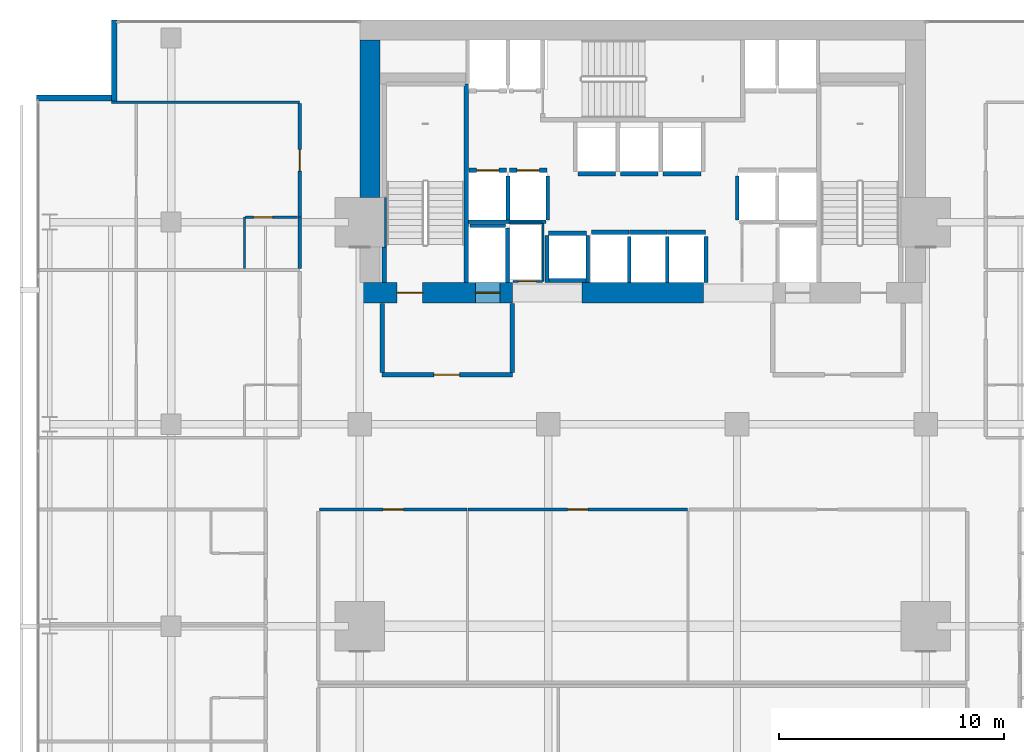
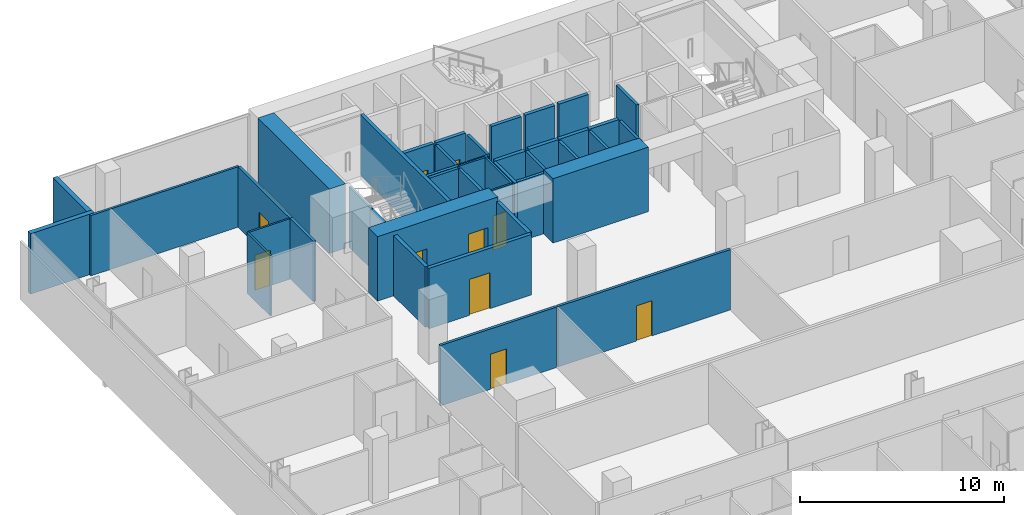
# One storey, part 35 of 39: 42 walls, 10 doors, 10 openings.
"""IFC4 building model written with IfcOpenShell, lengths in metres."""

from ifc_helpers import new_model, si_unit, direction, frame, frame_2d, origin, place, context, subcontext, project, spatial, rectangle, extrude, material, layer, layer_set, type_object, element, fill, save


model = new_model("IFC4")

# Units and contexts
model_context = context("Model", 3, precision=1e-05, world=origin(), true_north=direction((0.0, 1.0)))
body_context = subcontext(model_context, "Body", "Model", "MODEL_VIEW")
ifc_project = project(units=[si_unit("LENGTHUNIT", "METRE"), si_unit("AREAUNIT", "SQUARE_METRE"), si_unit("VOLUMEUNIT", "CUBIC_METRE"), si_unit("PLANEANGLEUNIT", "RADIAN"), si_unit("MASSUNIT", "GRAM", prefix="KILO")], contexts=[model_context])

# Site, building, storey
site_placement = place(None, origin())
site = spatial("IfcSite", under=ifc_project, at=site_placement, CompositionType="ELEMENT")
building_placement = place(site_placement, origin())
building = spatial("IfcBuilding", under=site, at=building_placement, Name="Maruvema Waterfront Hotel and Observation Tower", CompositionType="ELEMENT")
storey_placement = place(building_placement, frame((0.0, 0.0, 46.199951171875)))
storey = spatial("IfcBuildingStorey", under=building, at=storey_placement, Name="L10", CompositionType="ELEMENT", Elevation=46.199951171875)

# Wall, opening, door
ifc_material_1 = material(Name="Twin-stud acoustic gypsum drywall", Category="gypsum")
ifc_layer_1 = layer(ifc_material_1, 0.14990234375, Name="Acoustic Corridor and Suite Demising Wall 150 mm")
ifc_layer_set_1 = layer_set([ifc_layer_1], Name="Twin-stud acoustic gypsum drywall")
wall_type_1 = type_object("IfcWallType", Name="Acoustic Corridor and Suite Demising Wall 150 mm", PredefinedType="PARTITIONING", material=ifc_layer_set_1)
wall_1_placement = place(storey_placement, frame((23.409912109375, 32.199951171875, 0.0), z_axis=(0.0, 0.0, 1.0), x_axis=(1.0, 0.0, 0.0)))
wall_1 = element("IfcWall", 1, at=wall_1_placement, inside=storey, type_object=wall_type_1, Name="L10 L10-INTN Front 1 015", PredefinedType="PARTITIONING", context=body_context, shape_type="SweptSolid", body=[
    extrude(rectangle(XDim=6.55712890625, YDim=0.14990234375, at=frame_2d((3.278564453125, 0.0))), origin(), (0.0, 0.0, 1.0), 3.610107421875),
])
opening_1_placement = place(wall_1_placement, frame((2.82861328125, 0.0, 0.0)))
opening_1 = element("IfcOpeningElement", 2, at=opening_1_placement, cuts=wall_1, Name="Opening DR-090", PredefinedType="OPENING", context=body_context, shape_type="SweptSolid", body=[
    extrude(rectangle(XDim=0.89990234375, YDim=2.10009765625, at=frame_2d((0.449951171875, 1.050048828125))), frame((0.0, 0.0849609375, 0.0), z_axis=(0.0, -1.0, 0.0), x_axis=(1.0, 0.0, 0.0)), (0.0, 0.0, 1.0), 0.169921875),
])
ifc_material_2 = material(Name="Solid-core lacquered timber leaf", Category="wood")
door_type_1 = type_object("IfcDoorType", Name="Accessible Toilet and Room Door 900x2100 mm", OperationType="NOTDEFINED", PredefinedType="DOOR", material=ifc_material_2)
door_1_placement = place(opening_1_placement, origin())
door_1 = element("IfcDoor", 3, at=door_1_placement, inside=storey, type_object=door_type_1, Name="L10 Executive Meeting Room 1 Door", OperationType="SINGLE_SWING_LEFT", OverallHeight=2.10009765625, OverallWidth=0.89990234375, PredefinedType="DOOR", context=body_context, shape_type="SweptSolid", body=[
    extrude(rectangle(XDim=0.89990234375, YDim=2.10009765625, at=frame_2d((0.449951171875, 1.050048828125))), frame((0.0, 0.02490234375, 0.0), z_axis=(0.0, -1.0, 0.0), x_axis=(1.0, 0.0, 0.0)), (0.0, 0.0, 1.0), 0.050048828125),
])
fill(opening_1, door_1)

wall_2_placement = place(storey_placement, frame((30.027099609375, 32.199951171875, 0.0), z_axis=(0.0, 0.0, 1.0), x_axis=(1.0, 0.0, 0.0)))
wall_2 = element("IfcWall", 4, at=wall_2_placement, inside=storey, type_object=wall_type_1, Name="L10 L10-INTN Front 2 017", PredefinedType="PARTITIONING", context=body_context, shape_type="SweptSolid", body=[
    extrude(rectangle(XDim=9.765869140625, YDim=0.14990234375, at=frame_2d((4.8828125, 0.0))), origin(), (0.0, 0.0, 1.0), 3.610107421875),
])
opening_2_placement = place(wall_2_placement, frame((4.43310546875, 0.0, 0.0)))
opening_2 = element("IfcOpeningElement", 5, at=opening_2_placement, cuts=wall_2, Name="Opening DR-090", PredefinedType="OPENING", context=body_context, shape_type="SweptSolid", body=[
    extrude(rectangle(XDim=0.89990234375, YDim=2.10009765625, at=frame_2d((0.449951171875, 1.050048828125))), frame((0.0, 0.0849609375, 0.0), z_axis=(0.0, -1.0, 0.0), x_axis=(1.0, 0.0, 0.0)), (0.0, 0.0, 1.0), 0.169921875),
])
door_2_placement = place(opening_2_placement, origin())
door_2 = element("IfcDoor", 6, at=door_2_placement, inside=storey, type_object=door_type_1, Name="L10 Executive Meeting Room 2 Door", OperationType="SINGLE_SWING_RIGHT", OverallHeight=2.10009765625, OverallWidth=0.89990234375, PredefinedType="DOOR", context=body_context, shape_type="SweptSolid", body=[
    extrude(rectangle(XDim=0.89990234375, YDim=2.10009765625, at=frame_2d((0.449951171875, 1.050048828125))), frame((0.0, 0.02490234375, 0.0), z_axis=(0.0, -1.0, 0.0), x_axis=(1.0, 0.0, 0.0)), (0.0, 0.0, 1.0), 0.050048828125),
])
fill(opening_2, door_2)

# Wall
wall_3_placement = place(storey_placement, frame((22.52001953125, 42.9287109375, 0.0), z_axis=(0.0, 0.0, 1.0), x_axis=(0.0, 1.0, 0.0)))
element("IfcWall", 7, at=wall_3_placement, inside=storey, type_object=wall_type_1, Name="L10 Bath L10-NW2 Wall 103", PredefinedType="PARTITIONING", context=body_context, shape_type="SweptSolid", body=[
    extrude(rectangle(XDim=2.2900390625, YDim=0.14990234375, at=frame_2d((1.14501953125, 0.0))), origin(), (0.0, 0.0, 1.0), 3.610107421875),
])

# Wall, opening, door
wall_4_placement = place(storey_placement, frame((22.52001953125, 45.21875, 0.0), z_axis=(0.0, 0.0, 1.0), x_axis=(0.0, 1.0, 0.0)))
wall_4 = element("IfcWall", 8, at=wall_4_placement, inside=storey, type_object=wall_type_1, Name="L10 Room L10-NW2 Corridor Wall 104", PredefinedType="PARTITIONING", context=body_context, shape_type="SweptSolid", body=[
    extrude(rectangle(XDim=5.058837890625, YDim=0.14990234375, at=frame_2d((2.529296875, 0.0))), origin(), (0.0, 0.0, 1.0), 3.610107421875),
])
opening_3_placement = place(wall_4_placement, frame((2.054443359375, 0.0, 0.0)))
opening_3 = element("IfcOpeningElement", 9, at=opening_3_placement, cuts=wall_4, Name="Opening DR-095", PredefinedType="OPENING", context=body_context, shape_type="SweptSolid", body=[
    extrude(rectangle(XDim=0.949951171875, YDim=2.14990234375, at=frame_2d((0.47509765625, 1.074951171875))), frame((0.0, 0.0849609375, 0.0), z_axis=(0.0, -1.0, 0.0), x_axis=(1.0, 0.0, 0.0)), (0.0, 0.0, 1.0), 0.169921875),
])
ifc_material_3 = material(Name="Acoustic solid-core hardwood timber leaf", Category="wood")
door_type_2 = type_object("IfcDoorType", Name="Guestroom Entrance Fire Door 950x2150 mm", OperationType="NOTDEFINED", PredefinedType="DOOR", material=ifc_material_3)
door_3_placement = place(opening_3_placement, origin())
door_3 = element("IfcDoor", 10, at=door_3_placement, inside=storey, type_object=door_type_2, Name="L10 Room L10-NW2 Entrance Door", OperationType="SINGLE_SWING_LEFT", OverallHeight=2.14990234375, OverallWidth=0.949951171875, PredefinedType="DOOR", context=body_context, shape_type="SweptSolid", body=[
    extrude(rectangle(XDim=0.949951171875, YDim=2.14990234375, at=frame_2d((0.47509765625, 1.074951171875))), frame((0.0, 0.02490234375, 0.0), z_axis=(0.0, -1.0, 0.0), x_axis=(1.0, 0.0, 0.0)), (0.0, 0.0, 1.0), 0.050048828125),
])
fill(opening_3, door_3)

# Walls
ifc_material_4 = material(Name="Precast concrete C45/55", Category="concrete")
ifc_layer_2 = layer(ifc_material_4, 0.199951171875, Name="Core Shaft and Stairwell Enclosure Wall 200 mm")
ifc_layer_set_2 = layer_set([ifc_layer_2], Name="Precast concrete C45/55")
wall_type_2 = type_object("IfcWallType", Name="Core Shaft and Stairwell Enclosure Wall 200 mm", PredefinedType="SOLIDWALL", material=ifc_layer_set_2)
wall_5_placement = place(storey_placement, frame((29.949951171875, 42.300048828125, 0.0), z_axis=(0.0, 0.0, 1.0), x_axis=(0.0, 1.0, 0.0)))
element("IfcWall", 11, at=wall_5_placement, inside=storey, type_object=wall_type_2, Name="L10 Stairwell ST-01 East Shaft Wall", PredefinedType="SOLIDWALL", context=body_context, shape_type="SweptSolid", body=[
    extrude(rectangle(XDim=8.849853515625, YDim=0.199951171875, at=frame_2d((4.4248046875, 0.0))), origin(), (0.0, 0.0, 1.0), 3.610107421875),
])
wall_6_placement = place(storey_placement, frame((26.300048828125, 42.300048828125, 0.0), z_axis=(0.0, 0.0, 1.0), x_axis=(0.0, 1.0, 0.0)))
element("IfcWall", 12, at=wall_6_placement, inside=storey, type_object=wall_type_2, Name="L10 Stairwell ST-01 Shaft Lining Wall", PredefinedType="SOLIDWALL", context=body_context, shape_type="SweptSolid", body=[
    extrude(rectangle(XDim=1.579833984375, YDim=0.199951171875, at=frame_2d((0.7900390625, 0.0))), origin(), (0.0, 0.0, 1.0), 3.610107421875),
])

# Wall, opening, door
wall_7_placement = place(storey_placement, frame((30.06005859375, 47.300048828125, 0.0), z_axis=(0.0, 0.0, 1.0), x_axis=(1.0, 0.0, 0.0)))
wall_7 = element("IfcWall", 13, at=wall_7_placement, inside=storey, type_object=wall_type_2, Name="L10 Lift LF-01 Hoistway Front Wall", PredefinedType="SOLIDWALL", context=body_context, shape_type="SweptSolid", body=[
    extrude(rectangle(XDim=1.679931640625, YDim=0.199951171875, at=frame_2d((0.83984375, 0.0))), origin(), (0.0, 0.0, 1.0), 3.610107421875),
])
opening_4_placement = place(wall_7_placement, frame((0.340087890625, 0.0, 0.0)))
opening_4 = element("IfcOpeningElement", 14, at=opening_4_placement, cuts=wall_7, Name="Opening LD-01", PredefinedType="OPENING", context=body_context, shape_type="SweptSolid", body=[
    extrude(rectangle(XDim=1.0, YDim=2.14990234375, at=frame_2d((0.5, 1.074951171875))), frame((0.0, 0.10986328125, 0.0), z_axis=(0.0, -1.0, 0.0), x_axis=(1.0, 0.0, 0.0)), (0.0, 0.0, 1.0), 0.219970703125),
])
ifc_material_5 = material(Name="Brushed stainless steel Grade 316", Category="steel")
door_type_3 = type_object("IfcDoorType", Name="Passenger Lift Sliding Landing Door 1000x2150 mm", OperationType="SLIDING_TO_LEFT", PredefinedType="DOOR", material=ifc_material_5)
door_4_placement = place(opening_4_placement, origin())
door_4 = element("IfcDoor", 15, at=door_4_placement, inside=storey, type_object=door_type_3, Name="L10 Lift LF-01 Sliding Landing Door", OperationType="SLIDING_TO_LEFT", OverallHeight=2.14990234375, OverallWidth=1.0, PredefinedType="DOOR", context=body_context, shape_type="SweptSolid", body=[
    extrude(rectangle(XDim=1.0, YDim=2.14990234375, at=frame_2d((0.5, 1.074951171875))), frame((0.0, 0.02490234375, 0.0), z_axis=(0.0, -1.0, 0.0), x_axis=(1.0, 0.0, 0.0)), (0.0, 0.0, 1.0), 0.050048828125),
])
fill(opening_4, door_4)

wall_8_placement = place(storey_placement, frame((31.860107421875, 47.300048828125, 0.0), z_axis=(0.0, 0.0, 1.0), x_axis=(1.0, 0.0, 0.0)))
wall_8 = element("IfcWall", 16, at=wall_8_placement, inside=storey, type_object=wall_type_2, Name="L10 Lift LF-02 Hoistway Front Wall", PredefinedType="SOLIDWALL", context=body_context, shape_type="SweptSolid", body=[
    extrude(rectangle(XDim=1.679931640625, YDim=0.199951171875, at=frame_2d((0.83984375, 0.0))), origin(), (0.0, 0.0, 1.0), 3.610107421875),
])
opening_5_placement = place(wall_8_placement, frame((0.340087890625, 0.0, 0.0)))
opening_5 = element("IfcOpeningElement", 17, at=opening_5_placement, cuts=wall_8, Name="Opening LD-01", PredefinedType="OPENING", context=body_context, shape_type="SweptSolid", body=[
    extrude(rectangle(XDim=1.0, YDim=2.14990234375, at=frame_2d((0.5, 1.074951171875))), frame((0.0, 0.10986328125, 0.0), z_axis=(0.0, -1.0, 0.0), x_axis=(1.0, 0.0, 0.0)), (0.0, 0.0, 1.0), 0.219970703125),
])
door_5_placement = place(opening_5_placement, origin())
door_5 = element("IfcDoor", 18, at=door_5_placement, inside=storey, type_object=door_type_3, Name="L10 Lift LF-02 Sliding Landing Door", OperationType="SLIDING_TO_LEFT", OverallHeight=2.14990234375, OverallWidth=1.0, PredefinedType="DOOR", context=body_context, shape_type="SweptSolid", body=[
    extrude(rectangle(XDim=1.0, YDim=2.14990234375, at=frame_2d((0.5, 1.074951171875))), frame((0.0, 0.02490234375, 0.0), z_axis=(0.0, -1.0, 0.0), x_axis=(1.0, 0.0, 0.0)), (0.0, 0.0, 1.0), 0.050048828125),
])
fill(opening_5, door_5)

# Walls
for number, where, z_axis, x_axis, name in (
    (19, (35.510009765625, 44.550048828125, 0.0), (0.0, 0.0, 1.0), (1.0, 0.0, 0.0), "L10 Lift LF-09 Hoistway Front Wall"),
    (20, (37.2099609375, 44.550048828125, 0.0), (0.0, 0.0, 1.0), (1.0, 0.0, 0.0), "L10 Lift LF-10 Hoistway Front Wall"),
):
    element("IfcWall", number, at=place(storey_placement, frame(where, z_axis=z_axis, x_axis=x_axis)), inside=storey, type_object=wall_type_2, Name=name, PredefinedType="SOLIDWALL", context=body_context, shape_type="SweptSolid", body=[
        extrude(rectangle(XDim=1.679931640625, YDim=0.199951171875, at=frame_2d((0.83984375, 0.0))), origin(), (0.0, 0.0, 1.0), 3.610107421875),
    ])
for number, where, z_axis, x_axis, name in (
    (21, (38.909912109375, 44.550048828125, 0.0), (0.0, 0.0, 1.0), (1.0, 0.0, 0.0), "L10 Lift LF-11 Hoistway Front Wall"),
    (22, (34.909912109375, 47.14990234375, 0.0), (0.0, 0.0, 1.0), (1.0, 0.0, 0.0), "L10 Lift LF-12 Hoistway Front Wall"),
):
    element("IfcWall", number, at=place(storey_placement, frame(where, z_axis=z_axis, x_axis=x_axis)), inside=storey, type_object=wall_type_2, Name=name, PredefinedType="SOLIDWALL", context=body_context, shape_type="SweptSolid", body=[
        extrude(rectangle(XDim=1.68017578125, YDim=0.199951171875, at=frame_2d((0.840087890625, 0.0))), origin(), (0.0, 0.0, 1.0), 3.610107421875),
    ])
for number, where, z_axis, x_axis, name in (
    (23, (36.81005859375, 47.14990234375, 0.0), (0.0, 0.0, 1.0), (1.0, 0.0, 0.0), "L10 Lift LF-13 Hoistway Front Wall"),
    (24, (38.7099609375, 47.14990234375, 0.0), (0.0, 0.0, 1.0), (1.0, 0.0, 0.0), "L10 Lift LF-14 Hoistway Front Wall"),
    (25, (33.610107421875, 44.5, 0.0), (0.0, 0.0, 1.0), (1.0, 0.0, 0.0), "L10 Lift LF-15 Hoistway Front Wall"),
):
    element("IfcWall", number, at=place(storey_placement, frame(where, z_axis=z_axis, x_axis=x_axis)), inside=storey, type_object=wall_type_2, Name=name, PredefinedType="SOLIDWALL", context=body_context, shape_type="SweptSolid", body=[
        extrude(rectangle(XDim=1.679931640625, YDim=0.199951171875, at=frame_2d((0.83984375, 0.0))), origin(), (0.0, 0.0, 1.0), 3.610107421875),
    ])

# Wall, openings, doors
ifc_material_6 = material(Name="Concrete C80/95", Category="concrete")
ifc_layer_3 = layer(ifc_material_6, 0.89990234375, Name="Core Shear Wall 900 mm")
ifc_layer_set_3 = layer_set([ifc_layer_3], Name="Concrete C80/95")
wall_type_3 = type_object("IfcWallType", Name="Core Shear Wall 900 mm", PredefinedType="SHEAR", material=ifc_layer_set_3)
wall_9_placement = place(storey_placement, frame((25.199951171875, 41.85009765625, 0.0), z_axis=(0.0, 0.0, 1.0), x_axis=(1.0, 0.0, 0.0)))
wall_9 = element("IfcWall", 26, at=wall_9_placement, inside=storey, type_object=wall_type_3, Name="L10 South-West Core Shear Wall", PredefinedType="SHEAR", context=body_context, shape_type="SweptSolid", body=[
    extrude(rectangle(XDim=6.800048828125, YDim=0.89990234375, at=frame_2d((3.39990234375, 0.0))), origin(), (0.0, 0.0, 1.0), 3.85009765625),
])
opening_6_placement = place(wall_9_placement, frame((1.64990234375, 0.0, 0.0)))
opening_6 = element("IfcOpeningElement", 27, at=opening_6_placement, cuts=wall_9, Name="Opening SD-01", PredefinedType="OPENING", context=body_context, shape_type="SweptSolid", body=[
    extrude(rectangle(XDim=1.14990234375, YDim=2.14990234375, at=frame_2d((0.574951171875, 1.074951171875))), frame((0.0, 0.4599609375, 0.0), z_axis=(0.0, -1.0, 0.0), x_axis=(1.0, 0.0, 0.0)), (0.0, 0.0, 1.0), 0.919921875),
])
opening_7_placement = place(wall_9_placement, frame((5.14990234375, 0.0, 0.0)))
opening_7 = element("IfcOpeningElement", 28, at=opening_7_placement, cuts=wall_9, Name="Opening LD-03", PredefinedType="OPENING", context=body_context, shape_type="SweptSolid", body=[
    extrude(rectangle(XDim=1.10009765625, YDim=2.199951171875, at=frame_2d((0.550048828125, 1.10009765625))), frame((0.0, 0.4599609375, 0.0), z_axis=(0.0, -1.0, 0.0), x_axis=(1.0, 0.0, 0.0)), (0.0, 0.0, 1.0), 0.919921875),
])
ifc_material_7 = material(Name="Fire-rated galvanised steel leaf", Category="steel")
door_type_4 = type_object("IfcDoorType", Name="Exit Stair Fire Door 1150x2150 mm", OperationType="NOTDEFINED", PredefinedType="DOOR", material=ifc_material_7)
door_6_placement = place(opening_6_placement, origin())
door_6 = element("IfcDoor", 29, at=door_6_placement, inside=storey, type_object=door_type_4, Name="L10 Exit Stair ST-01 Fire Door", OperationType="SINGLE_SWING_LEFT", OverallHeight=2.14990234375, OverallWidth=1.14990234375, PredefinedType="DOOR", context=body_context, shape_type="SweptSolid", body=[
    extrude(rectangle(XDim=1.14990234375, YDim=2.14990234375, at=frame_2d((0.574951171875, 1.074951171875))), frame((0.0, 0.02490234375, 0.0), z_axis=(0.0, -1.0, 0.0), x_axis=(1.0, 0.0, 0.0)), (0.0, 0.0, 1.0), 0.050048828125),
])
fill(opening_6, door_6)
ifc_material_8 = material(Name="Brushed stainless steel Grade 316", Category="steel")
door_type_5 = type_object("IfcDoorType", Name="Firefighting Lift Sliding Landing Door 1100x2200 mm", OperationType="SLIDING_TO_LEFT", PredefinedType="DOOR", material=ifc_material_8)
door_7_placement = place(opening_7_placement, frame((1.10009765625, 0.0, 0.0), z_axis=(0.0, 0.0, 1.0), x_axis=(-1.0, 0.0, 0.0)))
door_7 = element("IfcDoor", 30, at=door_7_placement, inside=storey, type_object=door_type_5, Name="L10 Firefighting Lift FL-01 Landing Door", OperationType="SLIDING_TO_LEFT", OverallHeight=2.199951171875, OverallWidth=1.10009765625, PredefinedType="DOOR", context=body_context, shape_type="SweptSolid", body=[
    extrude(rectangle(XDim=1.10009765625, YDim=2.199951171875, at=frame_2d((0.550048828125, 1.10009765625))), frame((0.0, 0.02490234375, 0.0), z_axis=(0.0, -1.0, 0.0), x_axis=(1.0, 0.0, 0.0)), (0.0, 0.0, 1.0), 0.050048828125),
])
fill(opening_7, door_7)

# Walls
wall_10_placement = place(storey_placement, frame((35.10009765625, 41.85009765625, 0.0), z_axis=(0.0, 0.0, 1.0), x_axis=(1.0, 0.0, 0.0)))
element("IfcWall", 31, at=wall_10_placement, inside=storey, type_object=wall_type_3, Name="L10 South-Central Core Shear Wall", PredefinedType="SHEAR", context=body_context, shape_type="SweptSolid", body=[
    extrude(rectangle(XDim=5.39990234375, YDim=0.89990234375, at=frame_2d((2.699951171875, 0.0))), origin(), (0.0, 0.0, 1.0), 3.85009765625),
])
wall_11_placement = place(storey_placement, frame((25.64990234375, 46.10009765625, 0.0), z_axis=(0.0, 0.0, 1.0), x_axis=(0.0, 1.0, 0.0)))
element("IfcWall", 32, at=wall_11_placement, inside=storey, type_object=wall_type_3, Name="L10 West-North Core Shear Wall", PredefinedType="SHEAR", context=body_context, shape_type="SweptSolid", body=[
    extrude(rectangle(XDim=7.0, YDim=0.89990234375, at=frame_2d((3.5, 0.0))), origin(), (0.0, 0.0, 1.0), 3.85009765625),
])

# Wall, opening, door
ifc_material_9 = material(Name="Moisture-resistant cement-board drywall", Category="gypsum")
ifc_layer_4 = layer(ifc_material_9, 0.10009765625, Name="En-Suite Moisture-Resistant Partition 100 mm")
ifc_layer_set_4 = layer_set([ifc_layer_4], Name="Moisture-resistant cement-board drywall")
wall_type_4 = type_object("IfcWallType", Name="En-Suite Moisture-Resistant Partition 100 mm", PredefinedType="PARTITIONING", material=ifc_layer_set_4)
wall_12_placement = place(storey_placement, frame((32.02001953125, 42.360107421875, 0.0), z_axis=(0.0, 0.0, 1.0), x_axis=(1.0, 0.0, 0.0)))
wall_12 = element("IfcWall", 33, at=wall_12_placement, inside=storey, type_object=wall_type_4, Name="L10 Telecom Riser South Wall 007", PredefinedType="PARTITIONING", context=body_context, shape_type="SweptSolid", body=[
    extrude(rectangle(XDim=1.320068359375, YDim=0.10009765625, at=frame_2d((0.66015625, 0.0))), origin(), (0.0, 0.0, 1.0), 3.610107421875),
])
opening_8_placement = place(wall_12_placement, frame((0.239990234375, 0.0, 0.0)))
opening_8 = element("IfcOpeningElement", 34, at=opening_8_placement, cuts=wall_12, Name="Opening DR-080", PredefinedType="OPENING", context=body_context, shape_type="SweptSolid", body=[
    extrude(rectangle(XDim=0.800048828125, YDim=2.050048828125, at=frame_2d((0.39990234375, 1.02490234375))), frame((0.0, 0.06005859375, 0.0), z_axis=(0.0, -1.0, 0.0), x_axis=(1.0, 0.0, 0.0)), (0.0, 0.0, 1.0), 0.1201171875),
])
ifc_material_10 = material(Name="Powder-coated steel access leaf", Category="steel")
door_type_6 = type_object("IfcDoorType", Name="Riser and Service Cupboard Door 800x2050 mm", OperationType="NOTDEFINED", PredefinedType="DOOR", material=ifc_material_10)
door_8_placement = place(opening_8_placement, frame((0.800048828125, 0.0, 0.0), z_axis=(0.0, 0.0, 1.0), x_axis=(-1.0, 0.0, 0.0)))
door_8 = element("IfcDoor", 35, at=door_8_placement, inside=storey, type_object=door_type_6, Name="L10 Telecom Riser Door", OperationType="SINGLE_SWING_LEFT", OverallHeight=2.050048828125, OverallWidth=0.800048828125, PredefinedType="DOOR", context=body_context, shape_type="SweptSolid", body=[
    extrude(rectangle(XDim=0.800048828125, YDim=2.050048828125, at=frame_2d((0.39990234375, 1.02490234375))), frame((0.0, 0.02490234375, 0.0), z_axis=(0.0, -1.0, 0.0), x_axis=(1.0, 0.0, 0.0)), (0.0, 0.0, 1.0), 0.050048828125),
])
fill(opening_8, door_8)

# Walls
wall_13_placement = place(storey_placement, frame((31.840087890625, 44.9599609375, 0.0), z_axis=(0.0, 0.0, 1.0), x_axis=(1.0, 0.0, 0.0)))
element("IfcWall", 36, at=wall_13_placement, inside=storey, type_object=wall_type_4, Name="L10 Telecom Riser North Wall 008", PredefinedType="PARTITIONING", context=body_context, shape_type="SweptSolid", body=[
    extrude(rectangle(XDim=1.47998046875, YDim=0.10009765625, at=frame_2d((0.739990234375, 0.0))), origin(), (0.0, 0.0, 1.0), 3.610107421875),
])
wall_14_placement = place(storey_placement, frame((33.360107421875, 42.360107421875, 0.0), z_axis=(0.0, 0.0, 1.0), x_axis=(0.0, 1.0, 0.0)))
element("IfcWall", 37, at=wall_14_placement, inside=storey, type_object=wall_type_4, Name="L10 Telecom Riser East Wall 009", PredefinedType="PARTITIONING", context=body_context, shape_type="SweptSolid", body=[
    extrude(rectangle(XDim=2.579833984375, YDim=0.10009765625, at=frame_2d((1.2900390625, 0.0))), origin(), (0.0, 0.0, 1.0), 3.610107421875),
])
wall_15_placement = place(storey_placement, frame((20.070068359375, 42.9287109375, 0.0), z_axis=(0.0, 0.0, 1.0), x_axis=(0.0, 1.0, 0.0)))
element("IfcWall", 38, at=wall_15_placement, inside=storey, type_object=wall_type_4, Name="L10 En-Suite L10-NW2 W 105", PredefinedType="PARTITIONING", context=body_context, shape_type="SweptSolid", body=[
    extrude(rectangle(XDim=2.2900390625, YDim=0.10009765625, at=frame_2d((1.14501953125, 0.0))), origin(), (0.0, 0.0, 1.0), 3.610107421875),
])

# Wall, opening, door
wall_16_placement = place(storey_placement, frame((20.1201171875, 45.21875, 0.0), z_axis=(0.0, 0.0, 1.0), x_axis=(1.0, 0.0, 0.0)))
wall_16 = element("IfcWall", 39, at=wall_16_placement, inside=storey, type_object=wall_type_4, Name="L10 En-Suite L10-NW2 N 106", PredefinedType="PARTITIONING", context=body_context, shape_type="SweptSolid", body=[
    extrude(rectangle(XDim=2.2998046875, YDim=0.10009765625, at=frame_2d((1.14990234375, 0.0))), origin(), (0.0, 0.0, 1.0), 3.610107421875),
])
opening_9_placement = place(wall_16_placement, frame((0.35009765625, 0.0, 0.0)))
opening_9 = element("IfcOpeningElement", 40, at=opening_9_placement, cuts=wall_16, Name="Opening DR-085", PredefinedType="OPENING", context=body_context, shape_type="SweptSolid", body=[
    extrude(rectangle(XDim=0.85009765625, YDim=2.10009765625, at=frame_2d((0.425048828125, 1.050048828125))), frame((0.0, 0.06005859375, 0.0), z_axis=(0.0, -1.0, 0.0), x_axis=(1.0, 0.0, 0.0)), (0.0, 0.0, 1.0), 0.1201171875),
])
ifc_material_11 = material(Name="Moisture-resistant solid timber leaf", Category="wood")
door_type_7 = type_object("IfcDoorType", Name="En-Suite Bathroom Door 850x2100 mm", OperationType="NOTDEFINED", PredefinedType="DOOR", material=ifc_material_11)
door_9_placement = place(opening_9_placement, origin())
door_9 = element("IfcDoor", 41, at=door_9_placement, inside=storey, type_object=door_type_7, Name="L10 En-Suite L10-NW2 Door", OperationType="SINGLE_SWING_RIGHT", OverallHeight=2.10009765625, OverallWidth=0.85009765625, PredefinedType="DOOR", context=body_context, shape_type="SweptSolid", body=[
    extrude(rectangle(XDim=0.85009765625, YDim=2.10009765625, at=frame_2d((0.425048828125, 1.050048828125))), frame((0.0, 0.02490234375, 0.0), z_axis=(0.0, -1.0, 0.0), x_axis=(1.0, 0.0, 0.0)), (0.0, 0.0, 1.0), 0.050048828125),
])
fill(opening_9, door_9)

# Walls
ifc_material_12 = material(Name="Precast concrete C45/55 with honed Pernambuco granite facing", Category="masonry")
ifc_layer_5 = layer(ifc_material_12, 0.260009765625, Name="Exterior Granite Clad Spandrel and Pier Wall 260 mm")
ifc_layer_set_5 = layer_set([ifc_layer_5], Name="Precast concrete C45/55 with honed Pernambuco granite facing")
wall_type_5 = type_object("IfcWallType", Name="Exterior Granite Clad Spandrel and Pier Wall 260 mm", PredefinedType="SOLIDWALL", material=ifc_layer_set_5)
wall_17_placement = place(storey_placement, frame((14.27001953125, 50.39990234375, 0.0), z_axis=(0.0, 0.0, 1.0), x_axis=(0.0, 1.0, 0.0)))
element("IfcWall", 42, at=wall_17_placement, inside=storey, type_object=wall_type_5, Name="L10 Corner Notch Granite Pier Wall NW1", PredefinedType="SOLIDWALL", context=body_context, shape_type="SweptSolid", body=[
    extrude(rectangle(XDim=3.60009765625, YDim=0.260009765625, at=frame_2d((1.800048828125, 0.0))), origin(), (0.0, 0.0, 1.0), 3.610107421875),
])
wall_18_placement = place(storey_placement, frame((10.800048828125, 50.530029296875, 0.0), z_axis=(0.0, 0.0, 1.0), x_axis=(1.0, 0.0, 0.0)))
element("IfcWall", 43, at=wall_18_placement, inside=storey, type_object=wall_type_5, Name="L10 Corner Notch Granite Pier Wall NW2", PredefinedType="SOLIDWALL", context=body_context, shape_type="SweptSolid", body=[
    extrude(rectangle(XDim=3.599853515625, YDim=0.260009765625, at=frame_2d((1.7998046875, 0.0))), origin(), (0.0, 0.0, 1.0), 3.610107421875),
])

# Wall, opening, door
ifc_material_13 = material(Name="Autoclaved cellular concrete blockwork", Category="masonry")
ifc_layer_6 = layer(ifc_material_13, 0.199951171875, Name="Fire Compartment Masonry Wall 200 mm")
ifc_layer_set_6 = layer_set([ifc_layer_6], Name="Autoclaved cellular concrete blockwork")
wall_type_6 = type_object("IfcWallType", Name="Fire Compartment Masonry Wall 200 mm", PredefinedType="PARTITIONING", material=ifc_layer_set_6)
wall_19_placement = place(storey_placement, frame((26.199951171875, 38.199951171875, 0.0), z_axis=(0.0, 0.0, 1.0), x_axis=(1.0, 0.0, 0.0)))
wall_19 = element("IfcWall", 44, at=wall_19_placement, inside=storey, type_object=wall_type_6, Name="L10 FFL West South Wall 001", PredefinedType="PARTITIONING", context=body_context, shape_type="SweptSolid", body=[
    extrude(rectangle(XDim=5.800048828125, YDim=0.199951171875, at=frame_2d((2.89990234375, 0.0))), origin(), (0.0, 0.0, 1.0), 3.610107421875),
])
opening_10_placement = place(wall_19_placement, frame((2.300048828125, 0.0, 0.0)))
opening_10 = element("IfcOpeningElement", 45, at=opening_10_placement, cuts=wall_19, Name="Opening FD-115", PredefinedType="OPENING", context=body_context, shape_type="SweptSolid", body=[
    extrude(rectangle(XDim=1.14990234375, YDim=2.14990234375, at=frame_2d((0.574951171875, 1.074951171875))), frame((0.0, 0.10986328125, 0.0), z_axis=(0.0, -1.0, 0.0), x_axis=(1.0, 0.0, 0.0)), (0.0, 0.0, 1.0), 0.219970703125),
])
ifc_material_14 = material(Name="Fire-rated galvanised steel and vision glass", Category="steel")
door_type_8 = type_object("IfcDoorType", Name="Firefighting Lobby Fire Door 1150x2150 mm", OperationType="NOTDEFINED", PredefinedType="DOOR", material=ifc_material_14)
door_10_placement = place(opening_10_placement, frame((1.14990234375, 0.0, 0.0), z_axis=(0.0, 0.0, 1.0), x_axis=(-1.0, 0.0, 0.0)))
door_10 = element("IfcDoor", 46, at=door_10_placement, inside=storey, type_object=door_type_8, Name="L10 Firefighting Lobby West Door", OperationType="SINGLE_SWING_LEFT", OverallHeight=2.14990234375, OverallWidth=1.14990234375, PredefinedType="DOOR", context=body_context, shape_type="SweptSolid", body=[
    extrude(rectangle(XDim=1.14990234375, YDim=2.14990234375, at=frame_2d((0.574951171875, 1.074951171875))), frame((0.0, 0.02490234375, 0.0), z_axis=(0.0, -1.0, 0.0), x_axis=(1.0, 0.0, 0.0)), (0.0, 0.0, 1.0), 0.050048828125),
])
fill(opening_10, door_10)

# Walls
for number, where, z_axis, x_axis, name in (
    (47, (26.199951171875, 38.31005859375, 0.0), (0.0, 0.0, 1.0), (0.0, 1.0, 0.0), "L10 FFL West West Wall 002"),
    (48, (32.0, 38.31005859375, 0.0), (0.0, 0.0, 1.0), (0.0, 1.0, 0.0), "L10 FFL West East Wall 003"),
):
    element("IfcWall", number, at=place(storey_placement, frame(where, z_axis=z_axis, x_axis=x_axis)), inside=storey, type_object=wall_type_6, Name=name, PredefinedType="PARTITIONING", context=body_context, shape_type="SweptSolid", body=[
        extrude(rectangle(XDim=3.06982421875, YDim=0.199951171875, at=frame_2d((1.534912109375, 0.0))), origin(), (0.0, 0.0, 1.0), 3.610107421875),
    ])
ifc_material_15 = material(Name="Acoustic gypsum plasterboard drywall", Category="gypsum")
ifc_layer_7 = layer(ifc_material_15, 0.125, Name="Guestroom Acoustic Demising Wall 125 mm")
ifc_layer_set_7 = layer_set([ifc_layer_7], Name="Acoustic gypsum plasterboard drywall")
wall_type_7 = type_object("IfcWallType", Name="Guestroom Acoustic Demising Wall 125 mm", PredefinedType="PARTITIONING", material=ifc_layer_set_7)
wall_20_placement = place(storey_placement, frame((14.139892578125, 50.33740234375, 0.0), z_axis=(0.0, 0.0, 1.0), x_axis=(1.0, 0.0, 0.0)))
element("IfcWall", 49, at=wall_20_placement, inside=storey, type_object=wall_type_7, Name="L10 NW Top End 089", PredefinedType="PARTITIONING", context=body_context, shape_type="SweptSolid", body=[
    extrude(rectangle(XDim=8.380126953125, YDim=0.125, at=frame_2d((4.18994140625, 0.0))), origin(), (0.0, 0.0, 1.0), 3.610107421875),
])
ifc_material_16 = material(Name="Precast concrete C45/55", Category="concrete")
ifc_layer_8 = layer(ifc_material_16, 0.159912109375, Name="Lift Hoistway Divider Wall 160 mm")
ifc_layer_set_8 = layer_set([ifc_layer_8], Name="Precast concrete C45/55")
wall_type_8 = type_object("IfcWallType", Name="Lift Hoistway Divider Wall 160 mm", PredefinedType="SOLIDWALL", material=ifc_layer_set_8)
wall_21_placement = place(storey_placement, frame((30.10009765625, 44.830078125, 0.0), z_axis=(0.0, 0.0, 1.0), x_axis=(1.0, 0.0, 0.0)))
element("IfcWall", 50, at=wall_21_placement, inside=storey, type_object=wall_type_8, Name="L10 Lift FL-01 Rear Hoistway Wall", PredefinedType="SOLIDWALL", context=body_context, shape_type="SweptSolid", body=[
    extrude(rectangle(XDim=1.599853515625, YDim=0.159912109375, at=frame_2d((0.7998046875, 0.0))), origin(), (0.0, 0.0, 1.0), 3.610107421875),
])
wall_22_placement = place(storey_placement, frame((31.780029296875, 42.300048828125, 0.0), z_axis=(0.0, 0.0, 1.0), x_axis=(0.0, 1.0, 0.0)))
element("IfcWall", 51, at=wall_22_placement, inside=storey, type_object=wall_type_8, Name="L10 Lift FL-01 Inner Hoistway Wall", PredefinedType="SOLIDWALL", context=body_context, shape_type="SweptSolid", body=[
    extrude(rectangle(XDim=2.43994140625, YDim=0.159912109375, at=frame_2d((1.219970703125, 0.0))), origin(), (0.0, 0.0, 1.0), 3.610107421875),
])
for number, where, z_axis, x_axis, name in (
    (52, (31.800048828125, 45.10009765625, 0.0), (0.0, 0.0, 1.0), (0.0, 1.0, 0.0), "L10 Hoistway Divider Wall"),
    (53, (33.580078125, 45.10009765625, 0.0), (0.0, 0.0, 1.0), (0.0, 1.0, 0.0), "L10 Hoistway Divider Wall"),
):
    element("IfcWall", number, at=place(storey_placement, frame(where, z_axis=z_axis, x_axis=x_axis)), inside=storey, type_object=wall_type_8, Name=name, PredefinedType="SOLIDWALL", context=body_context, shape_type="SweptSolid", body=[
        extrude(rectangle(XDim=1.949951171875, YDim=0.159912109375, at=frame_2d((0.97509765625, 0.0))), origin(), (0.0, 0.0, 1.0), 3.610107421875),
    ])
wall_23_placement = place(storey_placement, frame((30.050048828125, 45.010009765625, 0.0), z_axis=(0.0, 0.0, 1.0), x_axis=(1.0, 0.0, 0.0)))
element("IfcWall", 54, at=wall_23_placement, inside=storey, type_object=wall_type_8, Name="L10 Hoistway Divider Wall", PredefinedType="SOLIDWALL", context=body_context, shape_type="SweptSolid", body=[
    extrude(rectangle(XDim=3.449951171875, YDim=0.159912109375, at=frame_2d((1.72509765625, 0.0))), origin(), (0.0, 0.0, 1.0), 3.610107421875),
])
wall_24_placement = place(storey_placement, frame((42.02001953125, 45.10009765625, 0.0), z_axis=(0.0, 0.0, 1.0), x_axis=(0.0, 1.0, 0.0)))
element("IfcWall", 55, at=wall_24_placement, inside=storey, type_object=wall_type_8, Name="L10 Hoistway Divider Wall", PredefinedType="SOLIDWALL", context=body_context, shape_type="SweptSolid", body=[
    extrude(rectangle(XDim=1.949951171875, YDim=0.159912109375, at=frame_2d((0.97509765625, 0.0))), origin(), (0.0, 0.0, 1.0), 3.610107421875),
])
for number, where, z_axis, x_axis, name in (
    (56, (37.199951171875, 42.300048828125, 0.0), (0.0, 0.0, 1.0), (0.0, 1.0, 0.0), "L10 Hoistway Divider Wall"),
    (57, (38.89990234375, 42.300048828125, 0.0), (0.0, 0.0, 1.0), (0.0, 1.0, 0.0), "L10 Hoistway Divider Wall"),
    (58, (40.6201171875, 42.300048828125, 0.0), (0.0, 0.0, 1.0), (0.0, 1.0, 0.0), "L10 Hoistway Divider Wall"),
):
    element("IfcWall", number, at=place(storey_placement, frame(where, z_axis=z_axis, x_axis=x_axis)), inside=storey, type_object=wall_type_8, Name=name, PredefinedType="SOLIDWALL", context=body_context, shape_type="SweptSolid", body=[
        extrude(rectangle(XDim=2.050048828125, YDim=0.159912109375, at=frame_2d((1.02490234375, 0.0))), origin(), (0.0, 0.0, 1.0), 3.610107421875),
    ])
for number, where, z_axis, x_axis, name in (
    (59, (33.5400390625, 42.300048828125, 0.0), (0.0, 0.0, 1.0), (0.0, 1.0, 0.0), "L10 Hoistway Divider Wall"),
    (60, (35.360107421875, 42.300048828125, 0.0), (0.0, 0.0, 1.0), (0.0, 1.0, 0.0), "L10 Hoistway Divider Wall"),
):
    element("IfcWall", number, at=place(storey_placement, frame(where, z_axis=z_axis, x_axis=x_axis)), inside=storey, type_object=wall_type_8, Name=name, PredefinedType="SOLIDWALL", context=body_context, shape_type="SweptSolid", body=[
        extrude(rectangle(XDim=2.099853515625, YDim=0.159912109375, at=frame_2d((1.0498046875, 0.0))), origin(), (0.0, 0.0, 1.0), 3.610107421875),
    ])
wall_25_placement = place(storey_placement, frame((33.6201171875, 42.39990234375, 0.0), z_axis=(0.0, 0.0, 1.0), x_axis=(1.0, 0.0, 0.0)))
element("IfcWall", 61, at=wall_25_placement, inside=storey, type_object=wall_type_8, Name="L10 Hoistway Divider Wall", PredefinedType="SOLIDWALL", context=body_context, shape_type="SweptSolid", body=[
    extrude(rectangle(XDim=1.659912109375, YDim=0.159912109375, at=frame_2d((0.830078125, 0.0))), origin(), (0.0, 0.0, 1.0), 3.610107421875),
])
ifc_material_17 = material(Name="Precast concrete C45/55", Category="concrete")
ifc_layer_9 = layer(ifc_material_17, 0.10009765625, Name="Stairwell Stringer Cheek Wall 100 mm")
ifc_layer_set_9 = layer_set([ifc_layer_9], Name="Precast concrete C45/55")
wall_type_9 = type_object("IfcWallType", Name="Stairwell Stringer Cheek Wall 100 mm", PredefinedType="SOLIDWALL", material=ifc_layer_set_9)
wall_26_placement = place(storey_placement, frame((26.35205078125, 43.89990234375, 0.0), z_axis=(0.0, 0.0, 1.0), x_axis=(0.0, 1.0, 0.0)))
element("IfcWall", 62, at=wall_26_placement, inside=storey, type_object=wall_type_9, Name="L10 Stairwell ST-01 Mega-Column Cheek Wall", PredefinedType="SOLIDWALL", context=body_context, shape_type="SweptSolid", body=[
    extrude(rectangle(XDim=2.2001953125, YDim=0.10009765625, at=frame_2d((1.10009765625, 0.0))), origin(), (0.0, 0.0, 1.0), 3.610107421875),
])

save(model, "model.ifc")
